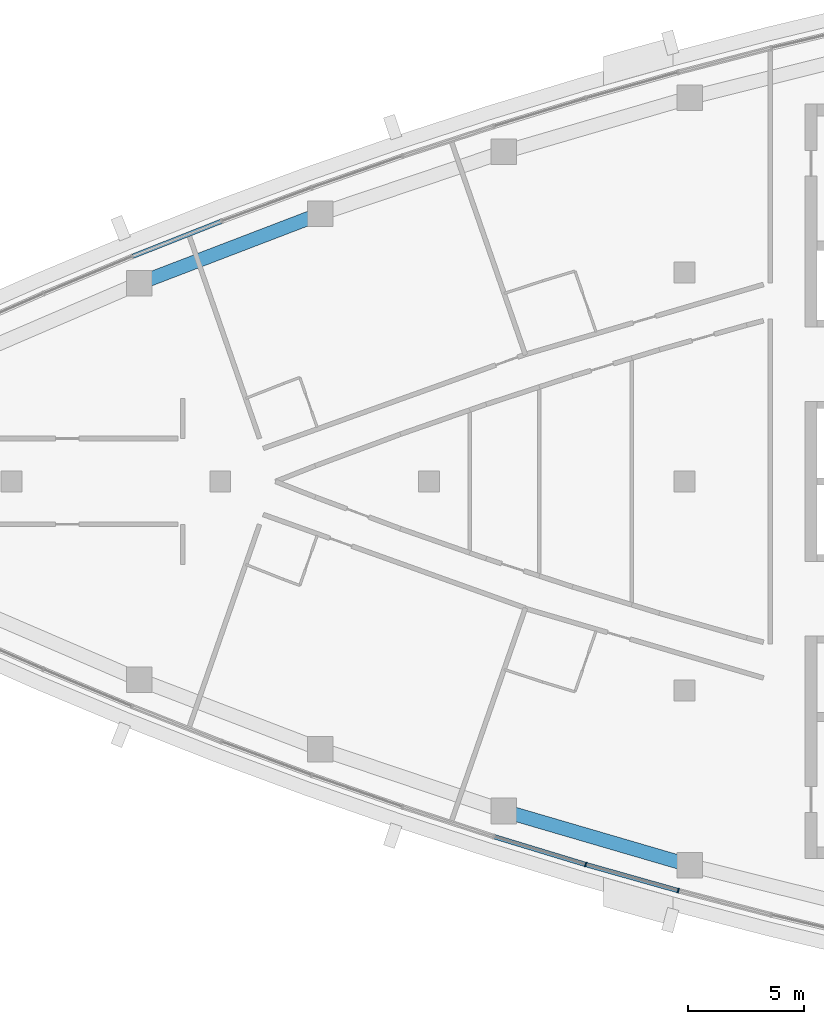
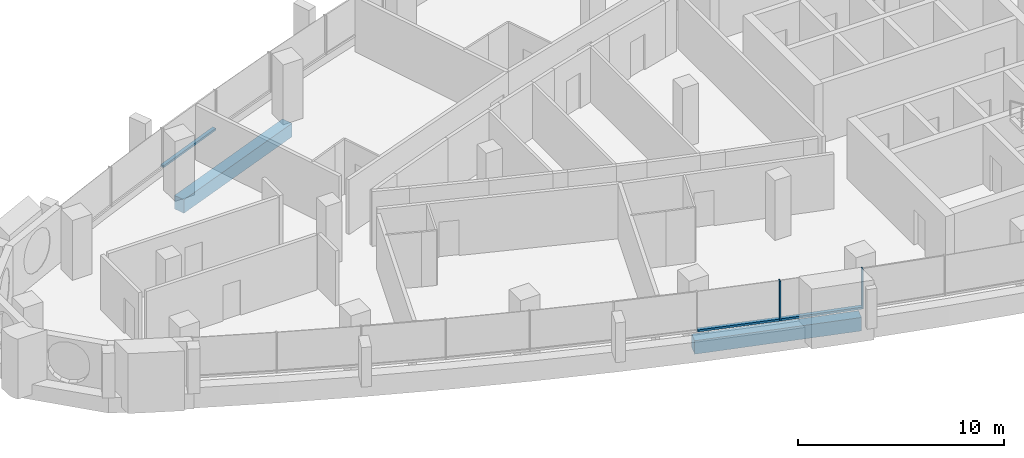
# One storey, part 3 of 14: 5 members, 2 beams, 2 elements without a shape of their own.
"""IFC4 building model written with IfcOpenShell, lengths in metres."""

from ifc_helpers import new_model, si_unit, direction, frame, origin, origin_2d, place, context, subcontext, project, spatial, rectangle, extrude, material, layer, layer_set, material_profile, profile_set, type_object, element, aggregate, save


model = new_model("IFC4")

# Units and contexts
model_context = context("Model", 3, precision=1e-05, world=origin(), true_north=direction((0.0, 1.0)))
body_context = subcontext(model_context, "Body", "Model", "MODEL_VIEW")
ifc_project = project(units=[si_unit("LENGTHUNIT", "METRE"), si_unit("AREAUNIT", "SQUARE_METRE"), si_unit("VOLUMEUNIT", "CUBIC_METRE"), si_unit("PLANEANGLEUNIT", "RADIAN"), si_unit("MASSUNIT", "GRAM", prefix="KILO")], contexts=[model_context])

# Site, building, storey
site_placement = place(None, origin())
site = spatial("IfcSite", under=ifc_project, at=site_placement, CompositionType="ELEMENT")
building_placement = place(site_placement, origin())
building = spatial("IfcBuilding", under=site, at=building_placement, Name="Ostrand Prow Hotel Tower", CompositionType="ELEMENT")
storey_placement = place(building_placement, frame((0.0, 0.0, 275.0)))
storey = spatial("IfcBuildingStorey", under=building, at=storey_placement, Name="L69", CompositionType="ELEMENT", Elevation=275.0)

# Beams
ifc_material_1 = material(Name="Concrete C50/60", Category="concrete")
ifc_material_profile_1 = material_profile(ifc_material_1, rectangle(XDim=0.60009765625, YDim=0.800048828125, at=origin_2d()), Name="RC 600x800")
ifc_profile_set_1 = profile_set([ifc_material_profile_1], Name="Concrete C50/60")
beam_type = type_object("IfcBeamType", Name="Edge beam 600x800 C50/60", PredefinedType="SPANDREL", material=ifc_profile_set_1)
for number, where, z_axis, x_axis, name in (
    (1, (37.22119140625, -14.19580078125, -0.699951171875), (0.959821966031, -0.280609681809, 0.0), (0.280609681809, 0.959821966031, 0.0), "Edge beam S4-S5"),
    (2, (29.31005859375, 11.528076171875, -0.699951171875), (-0.933761753797, -0.357895218111, 0.0), (0.357895218111, -0.933761753797, 0.0), "Edge beam N4-N5"),
):
    element("IfcBeam", number, at=place(storey_placement, frame(where, z_axis=z_axis, x_axis=x_axis)), inside=storey, type_object=beam_type, Name=name, PredefinedType="SPANDREL", context=body_context, shape_type="SweptSolid", body=[
        extrude(rectangle(XDim=0.60009765625, YDim=0.800048828125, at=origin_2d()), origin(), (0.0, 0.0, 1.0), 8.348876953125),
    ])

# Curtain wall, members
ifc_material_2 = material(Name="Insulated glass in bronze anodised frame", Category="glass")
ifc_layer = layer(ifc_material_2, 0.199951171875)
ifc_layer_set = layer_set([ifc_layer], Name="Insulated glass in bronze anodised frame")
curtain_wall_type = type_object("IfcCurtainWallType", Name="Strip curtain wall, fritted glass over bronze spandrel", PredefinedType="NOTDEFINED", material=ifc_layer_set)
curtain_wall_1_placement = place(storey_placement, origin())
curtain_wall_1 = element("IfcCurtainWall", 3, at=curtain_wall_1_placement, inside=storey, type_object=curtain_wall_type, Name="CW1 run CWS4", PredefinedType="NOTDEFINED")
ifc_material_3 = material(Name="Bronze anodised aluminium", Category="aluminium")
ifc_material_profile_2 = material_profile(ifc_material_3, rectangle(XDim=0.199951171875, YDim=0.06005859375, at=origin_2d()), Name="Mullion 60x200 bronze anodised aluminium")
ifc_profile_set_2 = profile_set([ifc_material_profile_2], Name="Bronze anodised aluminium")
member_type_1 = type_object("IfcMemberType", Name="Mullion 60x200 bronze anodised aluminium", PredefinedType="MULLION", material=ifc_profile_set_2)
member_1_placement = place(storey_placement, frame((40.744384765625, -16.502197265625, 0.89990234375), z_axis=(0.0, 0.0, 1.0), x_axis=(0.271648738865, 0.962396468548, 0.0)))
member_1 = element("IfcMember", 4, at=member_1_placement, type_object=member_type_1, Name="CW1 mullion 2", PredefinedType="MULLION", context=body_context, shape_type="SweptSolid", body=[
    extrude(rectangle(XDim=0.199951171875, YDim=0.06005859375, at=origin_2d()), origin(), (0.0, 0.0, 1.0), 2.35009765625),
])
member_2_placement = place(storey_placement, frame((44.728515625, -17.626708984375, 0.89990234375), z_axis=(0.0, 0.0, 1.0), x_axis=(0.271648738865, 0.962396468548, 0.0)))
member_2 = element("IfcMember", 5, at=member_2_placement, type_object=member_type_1, Name="CW1 mullion 3", PredefinedType="MULLION", context=body_context, shape_type="SweptSolid", body=[
    extrude(rectangle(XDim=0.199951171875, YDim=0.06005859375, at=origin_2d()), origin(), (0.0, 0.0, 1.0), 2.35009765625),
])
ifc_material_4 = material(Name="Bronze anodised aluminium", Category="aluminium")
ifc_material_profile_3 = material_profile(ifc_material_4, rectangle(XDim=0.199951171875, YDim=0.1201171875, at=origin_2d()), Name="Transom 120x200 bronze anodised aluminium")
ifc_profile_set_3 = profile_set([ifc_material_profile_3], Name="Bronze anodised aluminium")
member_type_2 = type_object("IfcMemberType", Name="Transom 120x200 bronze anodised aluminium", PredefinedType="USERDEFINED", material=ifc_profile_set_3)
member_3_placement = place(storey_placement, frame((36.8125, -15.306396484375, 0.9599609375), z_axis=(0.956739081124, -0.290947298751, 0.0), x_axis=(0.290947298751, 0.956739081124, 0.0)))
member_3 = element("IfcMember", 6, at=member_3_placement, type_object=member_type_2, Name="CW1 transom 1.1", ObjectType="TRANSOM", PredefinedType="USERDEFINED", context=body_context, shape_type="SweptSolid", body=[
    extrude(rectangle(XDim=0.199951171875, YDim=0.1201171875, at=origin_2d()), origin(), (0.0, 0.0, 1.0), 4.079833984375),
])
member_4_placement = place(storey_placement, frame((40.7734375, -16.51025390625, 0.9599609375), z_axis=(0.962386308628, -0.271684730828, 0.0), x_axis=(0.271684730828, 0.962386308628, 0.0)))
member_4 = element("IfcMember", 7, at=member_4_placement, type_object=member_type_2, Name="CW1 transom 2.1", ObjectType="TRANSOM", PredefinedType="USERDEFINED", context=body_context, shape_type="SweptSolid", body=[
    extrude(rectangle(XDim=0.199951171875, YDim=0.1201171875, at=origin_2d()), origin(), (0.0, 0.0, 1.0), 4.079833984375),
])
aggregate(curtain_wall_1, [member_1, member_2, member_3, member_4])

# Curtain wall, member
curtain_wall_2_placement = place(storey_placement, origin())
curtain_wall_2 = element("IfcCurtainWall", 8, at=curtain_wall_2_placement, inside=storey, type_object=curtain_wall_type, Name="CW1 run CWN4", PredefinedType="NOTDEFINED")
member_5_placement = place(storey_placement, frame((25.0302734375, 11.19921875, 0.9599609375), z_axis=(-0.930289613186, -0.366825892759, 0.0), x_axis=(0.366825892759, -0.930289613186, 0.0)))
member_5 = element("IfcMember", 9, at=member_5_placement, type_object=member_type_2, Name="CW1 transom 2.1", ObjectType="TRANSOM", PredefinedType="USERDEFINED", context=body_context, shape_type="SweptSolid", body=[
    extrude(rectangle(XDim=0.199951171875, YDim=0.1201171875, at=origin_2d()), origin(), (0.0, 0.0, 1.0), 4.079833984375),
])
aggregate(curtain_wall_2, [member_5])

save(model, "model.ifc")
